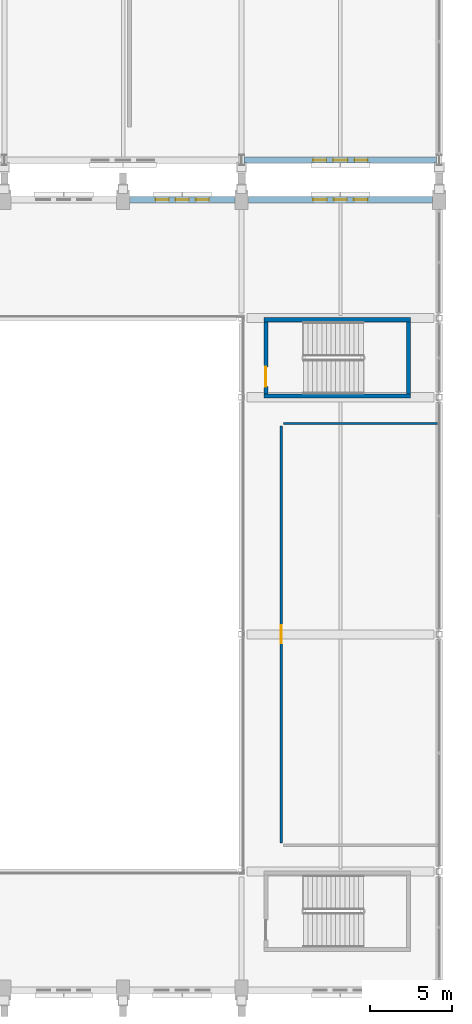
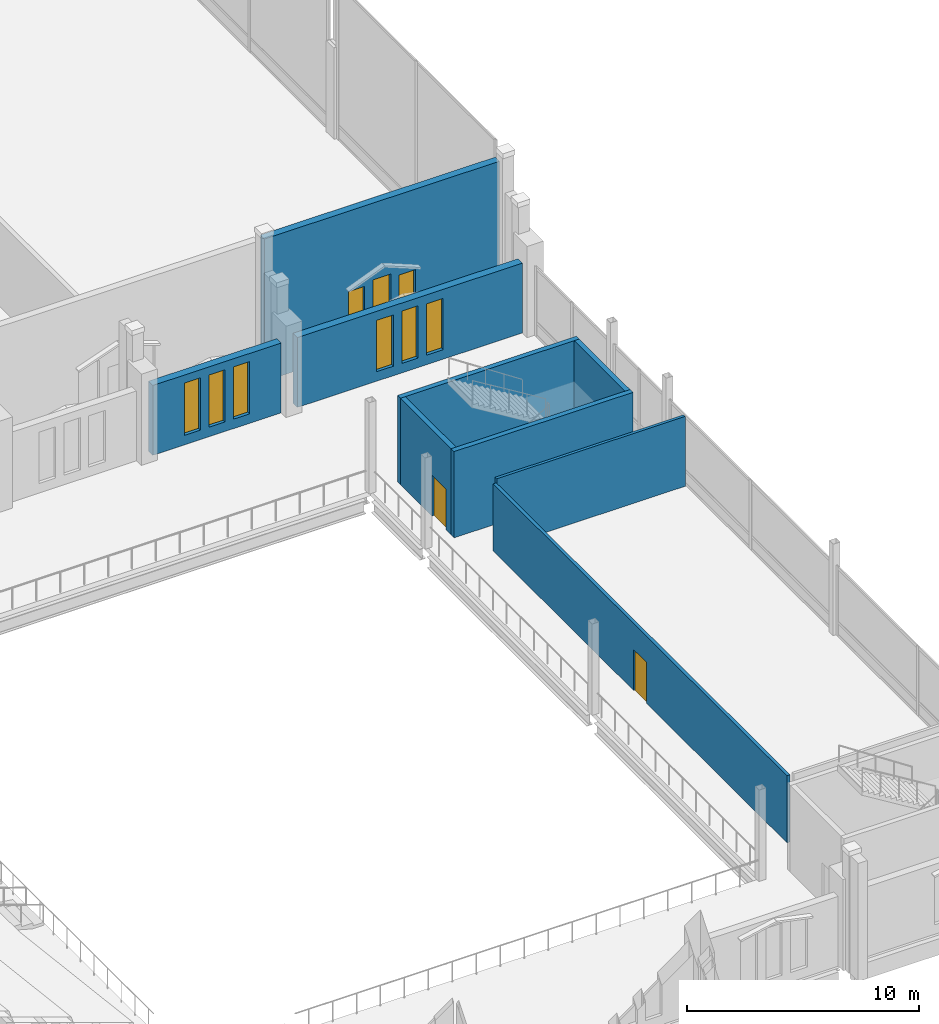
# One storey, part 150 of 193: 9 walls, 9 windows, 2 doors, 11 openings.
"""IFC4 building model written with IfcOpenShell, lengths in metres."""

from ifc_helpers import new_model, si_unit, direction, frame, frame_2d, origin, place, context, subcontext, project, spatial, rectangle, extrude, material, layer, layer_set, type_object, element, fill, save


model = new_model("IFC4")

# Units and contexts
model_context = context("Model", 3, precision=1e-05, world=origin(), true_north=direction((0.0, 1.0)))
body_context = subcontext(model_context, "Body", "Model", "MODEL_VIEW")
ifc_project = project(units=[si_unit("LENGTHUNIT", "METRE"), si_unit("AREAUNIT", "SQUARE_METRE"), si_unit("VOLUMEUNIT", "CUBIC_METRE"), si_unit("PLANEANGLEUNIT", "RADIAN"), si_unit("MASSUNIT", "GRAM", prefix="KILO")], contexts=[model_context])

# Site, building, storey
site_placement = place(None, origin())
site = spatial("IfcSite", under=ifc_project, at=site_placement, CompositionType="ELEMENT")
building_placement = place(site_placement, origin())
building = spatial("IfcBuilding", under=site, at=building_placement, Name="Cendralis Lancet Convention Centre", CompositionType="ELEMENT")
storey_placement = place(building_placement, frame((0.0, 0.0, 10.199951171875)))
storey = spatial("IfcBuildingStorey", under=building, at=storey_placement, Name="L02", CompositionType="ELEMENT", Elevation=10.199951171875)

# Wall, openings, windows
ifc_material_1 = material(Name="Buff sandstone ashlar and Concrete G40 (C40/50)", Category="masonry")
ifc_layer_1 = layer(ifc_material_1, 0.360107421875, Name="Buff sandstone ashlar and Concrete G40 (C40/50)")
ifc_layer_set_1 = layer_set([ifc_layer_1], Name="Buff sandstone ashlar and Concrete G40 (C40/50)")
wall_type_1 = type_object("IfcWallType", Name="ARC-EW-W360", PredefinedType="STANDARD", material=ifc_layer_set_1)
wall_1_placement = place(storey_placement, frame((208.64208984375, 93.60009765625, 0.0), z_axis=(0.0, 0.0, 1.0), x_axis=(-1.0, 0.0, 0.0)))
wall_1 = element("IfcWall", 1, at=wall_1_placement, inside=storey, type_object=wall_type_1, Name="L02 V3 Exterior Wall EW-04 #0168", PredefinedType="STANDARD", context=body_context, shape_type="SweptSolid", body=[
    extrude(rectangle(XDim=11.68408203125, YDim=0.360107421875, at=frame_2d((5.842041015625, 0.0))), origin(), (0.0, 0.0, 1.0), 7.485107421875),
])
opening_1_placement = place(wall_1_placement, frame((4.181884765625, 0.0, 0.5)))
opening_1 = element("IfcOpeningElement", 2, at=opening_1_placement, cuts=wall_1, Name="Opening WN-07", PredefinedType="OPENING", context=body_context, shape_type="SweptSolid", body=[
    extrude(rectangle(XDim=0.800048828125, YDim=2.75, at=frame_2d((0.39990234375, 1.375))), frame((0.0, 0.18994140625, 0.0), z_axis=(0.0, -1.0, 0.0), x_axis=(1.0, 0.0, 0.0)), (0.0, 0.0, 1.0), 0.380126953125),
])
opening_2_placement = place(wall_1_placement, frame((5.402099609375, 0.0, 0.5)))
opening_2 = element("IfcOpeningElement", 3, at=opening_2_placement, cuts=wall_1, Name="Opening WN-08", PredefinedType="OPENING", context=body_context, shape_type="SweptSolid", body=[
    extrude(rectangle(XDim=0.8798828125, YDim=2.949951171875, at=frame_2d((0.43994140625, 1.47509765625))), frame((0.0, 0.18994140625, 0.0), z_axis=(0.0, -1.0, 0.0), x_axis=(1.0, 0.0, 0.0)), (0.0, 0.0, 1.0), 0.380126953125),
])
opening_3_placement = place(wall_1_placement, frame((6.701904296875, 0.0, 0.5)))
opening_3 = element("IfcOpeningElement", 4, at=opening_3_placement, cuts=wall_1, Name="Opening WN-07", PredefinedType="OPENING", context=body_context, shape_type="SweptSolid", body=[
    extrude(rectangle(XDim=0.800048828125, YDim=2.75, at=frame_2d((0.39990234375, 1.375))), frame((0.0, 0.18994140625, 0.0), z_axis=(0.0, -1.0, 0.0), x_axis=(1.0, 0.0, 0.0)), (0.0, 0.0, 1.0), 0.380126953125),
])
ifc_material_2 = material(Name="Double-glazed low-E solar-control glass", Category="glass")
window_type_1 = type_object("IfcWindowType", Name="ARC-WN-LW07", PartitioningType="SINGLE_PANEL", PredefinedType="WINDOW", material=ifc_material_2)
window_1_placement = place(opening_1_placement, origin())
window_1 = element("IfcWindow", 5, at=window_1_placement, inside=storey, type_object=window_type_1, Name="Gothic Lancet Window WN-07 #0338", OverallHeight=2.75, OverallWidth=0.800048828125, PartitioningType="SINGLE_PANEL", PredefinedType="WINDOW", context=body_context, shape_type="SweptSolid", body=[
    extrude(rectangle(XDim=0.800048828125, YDim=2.75, at=frame_2d((0.39990234375, 1.375))), frame((0.0, 0.030029296875, 0.0), z_axis=(0.0, -1.0, 0.0), x_axis=(1.0, 0.0, 0.0)), (0.0, 0.0, 1.0), 0.06005859375),
])
fill(opening_1, window_1)
window_2_placement = place(opening_3_placement, origin())
window_2 = element("IfcWindow", 6, at=window_2_placement, inside=storey, type_object=window_type_1, Name="Gothic Lancet Window WN-07 #0340", OverallHeight=2.75, OverallWidth=0.800048828125, PartitioningType="SINGLE_PANEL", PredefinedType="WINDOW", context=body_context, shape_type="SweptSolid", body=[
    extrude(rectangle(XDim=0.800048828125, YDim=2.75, at=frame_2d((0.39990234375, 1.375))), frame((0.0, 0.030029296875, 0.0), z_axis=(0.0, -1.0, 0.0), x_axis=(1.0, 0.0, 0.0)), (0.0, 0.0, 1.0), 0.06005859375),
])
fill(opening_3, window_2)
window_type_2 = type_object("IfcWindowType", Name="ARC-WN-LW08", PartitioningType="SINGLE_PANEL", PredefinedType="WINDOW", material=ifc_material_2)
window_3_placement = place(opening_2_placement, origin())
window_3 = element("IfcWindow", 7, at=window_3_placement, inside=storey, type_object=window_type_2, Name="Gothic Lancet Window WN-08 #0339", OverallHeight=2.949951171875, OverallWidth=0.8798828125, PartitioningType="SINGLE_PANEL", PredefinedType="WINDOW", context=body_context, shape_type="SweptSolid", body=[
    extrude(rectangle(XDim=0.8798828125, YDim=2.949951171875, at=frame_2d((0.43994140625, 1.47509765625))), frame((0.0, 0.030029296875, 0.0), z_axis=(0.0, -1.0, 0.0), x_axis=(1.0, 0.0, 0.0)), (0.0, 0.0, 1.0), 0.06005859375),
])
fill(opening_2, window_3)

ifc_layer_2 = layer(ifc_material_1, 0.3798828125, Name="Buff sandstone ashlar and Concrete G40 (C40/50)")
ifc_layer_set_2 = layer_set([ifc_layer_2], Name="Buff sandstone ashlar and Concrete G40 (C40/50)")
wall_type_2 = type_object("IfcWallType", Name="ARC-EW-W380", PredefinedType="STANDARD", material=ifc_layer_set_2)
wall_2_placement = place(storey_placement, frame((190.008056640625, 91.199951171875, 0.0), z_axis=(0.0, 0.0, 1.0), x_axis=(1.0, 0.0, 0.0)))
wall_2 = element("IfcWall", 8, at=wall_2_placement, inside=storey, type_object=wall_type_2, Name="L02 V2 Exterior Wall EW-03 #0125", PredefinedType="STANDARD", context=body_context, shape_type="SweptSolid", body=[
    extrude(rectangle(XDim=6.384033203125, YDim=0.3798828125, at=frame_2d((3.19189453125, 0.0))), origin(), (0.0, 0.0, 1.0), 3.675048828125),
])
opening_4_placement = place(wall_2_placement, frame((1.572021484375, 0.0, 0.5)))
opening_4 = element("IfcOpeningElement", 9, at=opening_4_placement, cuts=wall_2, Name="Opening WN-07", PredefinedType="OPENING", context=body_context, shape_type="SweptSolid", body=[
    extrude(rectangle(XDim=0.800048828125, YDim=2.75, at=frame_2d((0.39990234375, 1.375))), frame((0.0, 0.199951171875, 0.0), z_axis=(0.0, -1.0, 0.0), x_axis=(1.0, 0.0, 0.0)), (0.0, 0.0, 1.0), 0.39990234375),
])
opening_5_placement = place(wall_2_placement, frame((2.7919921875, 0.0, 0.5)))
opening_5 = element("IfcOpeningElement", 10, at=opening_5_placement, cuts=wall_2, Name="Opening WN-07", PredefinedType="OPENING", context=body_context, shape_type="SweptSolid", body=[
    extrude(rectangle(XDim=0.800048828125, YDim=2.75, at=frame_2d((0.39990234375, 1.375))), frame((0.0, 0.199951171875, 0.0), z_axis=(0.0, -1.0, 0.0), x_axis=(1.0, 0.0, 0.0)), (0.0, 0.0, 1.0), 0.39990234375),
])
opening_6_placement = place(wall_2_placement, frame((4.011962890625, 0.0, 0.5)))
opening_6 = element("IfcOpeningElement", 11, at=opening_6_placement, cuts=wall_2, Name="Opening WN-07", PredefinedType="OPENING", context=body_context, shape_type="SweptSolid", body=[
    extrude(rectangle(XDim=0.800048828125, YDim=2.75, at=frame_2d((0.39990234375, 1.375))), frame((0.0, 0.199951171875, 0.0), z_axis=(0.0, -1.0, 0.0), x_axis=(1.0, 0.0, 0.0)), (0.0, 0.0, 1.0), 0.39990234375),
])
window_4_placement = place(opening_4_placement, origin())
window_4 = element("IfcWindow", 12, at=window_4_placement, inside=storey, type_object=window_type_1, Name="Gothic Lancet Window WN-07 #0243", OverallHeight=2.75, OverallWidth=0.800048828125, PartitioningType="SINGLE_PANEL", PredefinedType="WINDOW", context=body_context, shape_type="SweptSolid", body=[
    extrude(rectangle(XDim=0.800048828125, YDim=2.75, at=frame_2d((0.39990234375, 1.375))), frame((0.0, 0.030029296875, 0.0), z_axis=(0.0, -1.0, 0.0), x_axis=(1.0, 0.0, 0.0)), (0.0, 0.0, 1.0), 0.06005859375),
])
fill(opening_4, window_4)
window_5_placement = place(opening_5_placement, origin())
window_5 = element("IfcWindow", 13, at=window_5_placement, inside=storey, type_object=window_type_1, Name="Gothic Lancet Window WN-07 #0244", OverallHeight=2.75, OverallWidth=0.800048828125, PartitioningType="SINGLE_PANEL", PredefinedType="WINDOW", context=body_context, shape_type="SweptSolid", body=[
    extrude(rectangle(XDim=0.800048828125, YDim=2.75, at=frame_2d((0.39990234375, 1.375))), frame((0.0, 0.030029296875, 0.0), z_axis=(0.0, -1.0, 0.0), x_axis=(1.0, 0.0, 0.0)), (0.0, 0.0, 1.0), 0.06005859375),
])
fill(opening_5, window_5)
window_6_placement = place(opening_6_placement, origin())
window_6 = element("IfcWindow", 14, at=window_6_placement, inside=storey, type_object=window_type_1, Name="Gothic Lancet Window WN-07 #0245", OverallHeight=2.75, OverallWidth=0.800048828125, PartitioningType="SINGLE_PANEL", PredefinedType="WINDOW", context=body_context, shape_type="SweptSolid", body=[
    extrude(rectangle(XDim=0.800048828125, YDim=2.75, at=frame_2d((0.39990234375, 1.375))), frame((0.0, 0.030029296875, 0.0), z_axis=(0.0, -1.0, 0.0), x_axis=(1.0, 0.0, 0.0)), (0.0, 0.0, 1.0), 0.06005859375),
])
fill(opening_6, window_6)

wall_3_placement = place(storey_placement, frame((197.2080078125, 91.199951171875, 0.0), z_axis=(0.0, 0.0, 1.0), x_axis=(1.0, 0.0, 0.0)))
wall_3 = element("IfcWall", 15, at=wall_3_placement, inside=storey, type_object=wall_type_2, Name="L02 V2 Exterior Wall EW-03 #0126", PredefinedType="STANDARD", context=body_context, shape_type="SweptSolid", body=[
    extrude(rectangle(XDim=11.18408203125, YDim=0.3798828125, at=frame_2d((5.592041015625, 0.0))), origin(), (0.0, 0.0, 1.0), 3.675048828125),
])
opening_7_placement = place(wall_3_placement, frame((3.931884765625, 0.0, 0.5)))
opening_7 = element("IfcOpeningElement", 16, at=opening_7_placement, cuts=wall_3, Name="Opening WN-15", PredefinedType="OPENING", context=body_context, shape_type="SweptSolid", body=[
    extrude(rectangle(XDim=0.840087890625, YDim=2.699951171875, at=frame_2d((0.419921875, 1.35009765625))), frame((0.0, 0.199951171875, 0.0), z_axis=(0.0, -1.0, 0.0), x_axis=(1.0, 0.0, 0.0)), (0.0, 0.0, 1.0), 0.39990234375),
])
opening_8_placement = place(wall_3_placement, frame((5.19189453125, 0.0, 0.5)))
opening_8 = element("IfcOpeningElement", 17, at=opening_8_placement, cuts=wall_3, Name="Opening WN-07", PredefinedType="OPENING", context=body_context, shape_type="SweptSolid", body=[
    extrude(rectangle(XDim=0.800048828125, YDim=2.75, at=frame_2d((0.39990234375, 1.375))), frame((0.0, 0.199951171875, 0.0), z_axis=(0.0, -1.0, 0.0), x_axis=(1.0, 0.0, 0.0)), (0.0, 0.0, 1.0), 0.39990234375),
])
opening_9_placement = place(wall_3_placement, frame((6.412109375, 0.0, 0.5)))
opening_9 = element("IfcOpeningElement", 18, at=opening_9_placement, cuts=wall_3, Name="Opening WN-15", PredefinedType="OPENING", context=body_context, shape_type="SweptSolid", body=[
    extrude(rectangle(XDim=0.840087890625, YDim=2.699951171875, at=frame_2d((0.419921875, 1.35009765625))), frame((0.0, 0.199951171875, 0.0), z_axis=(0.0, -1.0, 0.0), x_axis=(1.0, 0.0, 0.0)), (0.0, 0.0, 1.0), 0.39990234375),
])
window_7_placement = place(opening_8_placement, origin())
window_7 = element("IfcWindow", 19, at=window_7_placement, inside=storey, type_object=window_type_1, Name="Gothic Lancet Window WN-07 #0247", OverallHeight=2.75, OverallWidth=0.800048828125, PartitioningType="SINGLE_PANEL", PredefinedType="WINDOW", context=body_context, shape_type="SweptSolid", body=[
    extrude(rectangle(XDim=0.800048828125, YDim=2.75, at=frame_2d((0.39990234375, 1.375))), frame((0.0, 0.030029296875, 0.0), z_axis=(0.0, -1.0, 0.0), x_axis=(1.0, 0.0, 0.0)), (0.0, 0.0, 1.0), 0.06005859375),
])
fill(opening_8, window_7)
window_type_3 = type_object("IfcWindowType", Name="ARC-WN-LW15", PartitioningType="SINGLE_PANEL", PredefinedType="WINDOW", material=ifc_material_2)
window_8_placement = place(opening_7_placement, origin())
window_8 = element("IfcWindow", 20, at=window_8_placement, inside=storey, type_object=window_type_3, Name="Gothic Lancet Window WN-15 #0246", OverallHeight=2.699951171875, OverallWidth=0.840087890625, PartitioningType="SINGLE_PANEL", PredefinedType="WINDOW", context=body_context, shape_type="SweptSolid", body=[
    extrude(rectangle(XDim=0.840087890625, YDim=2.699951171875, at=frame_2d((0.419921875, 1.35009765625))), frame((0.0, 0.030029296875, 0.0), z_axis=(0.0, -1.0, 0.0), x_axis=(1.0, 0.0, 0.0)), (0.0, 0.0, 1.0), 0.06005859375),
])
fill(opening_7, window_8)
window_9_placement = place(opening_9_placement, origin())
window_9 = element("IfcWindow", 21, at=window_9_placement, inside=storey, type_object=window_type_3, Name="Gothic Lancet Window WN-15 #0248", OverallHeight=2.699951171875, OverallWidth=0.840087890625, PartitioningType="SINGLE_PANEL", PredefinedType="WINDOW", context=body_context, shape_type="SweptSolid", body=[
    extrude(rectangle(XDim=0.840087890625, YDim=2.699951171875, at=frame_2d((0.419921875, 1.35009765625))), frame((0.0, 0.030029296875, 0.0), z_axis=(0.0, -1.0, 0.0), x_axis=(1.0, 0.0, 0.0)), (0.0, 0.0, 1.0), 0.06005859375),
])
fill(opening_9, window_9)

# Wall
ifc_material_3 = material(Name="Acoustic fire-rated gypsum board on steel studs", Category="steel")
ifc_layer_3 = layer(ifc_material_3, 0.139892578125, Name="Acoustic fire-rated gypsum board on steel studs")
ifc_layer_set_3 = layer_set([ifc_layer_3], Name="Acoustic fire-rated gypsum board on steel studs")
wall_type_3 = type_object("IfcWallType", Name="ARC-IW-P140", PredefinedType="PARTITIONING", material=ifc_layer_set_3)
wall_4_placement = place(storey_placement, frame((199.340087890625, 77.60009765625, 0.0), z_axis=(0.0, 0.0, 1.0), x_axis=(1.0, 0.0, 0.0)))
element("IfcWall", 22, at=wall_4_placement, inside=storey, type_object=wall_type_3, Name="L02 Interior Partition IW-04 #0107", PredefinedType="PARTITIONING", context=body_context, shape_type="SweptSolid", body=[
    extrude(rectangle(XDim=9.3798828125, YDim=0.139892578125, at=frame_2d((4.68994140625, 0.0))), origin(), (0.0, 0.0, 1.0), 3.675048828125),
])

# Wall, opening, door
ifc_layer_4 = layer(ifc_material_3, 0.159912109375, Name="Acoustic fire-rated gypsum board on steel studs")
ifc_layer_set_4 = layer_set([ifc_layer_4], Name="Acoustic fire-rated gypsum board on steel studs")
wall_type_4 = type_object("IfcWallType", Name="ARC-IW-P160", PredefinedType="PARTITIONING", material=ifc_layer_set_4)
wall_5_placement = place(storey_placement, frame((199.199951171875, 52.139892578125, 0.0), z_axis=(0.0, 0.0, 1.0), x_axis=(0.0, 1.0, 0.0)))
wall_5 = element("IfcWall", 23, at=wall_5_placement, inside=storey, type_object=wall_type_4, Name="L02 Interior Partition IW-03 #0108", PredefinedType="PARTITIONING", context=body_context, shape_type="SweptSolid", body=[
    extrude(rectangle(XDim=25.320068359375, YDim=0.159912109375, at=frame_2d((12.66015625, 0.0))), origin(), (0.0, 0.0, 1.0), 3.525146484375),
])
opening_10_placement = place(wall_5_placement, frame((12.110107421875, 0.0, 0.0)))
opening_10 = element("IfcOpeningElement", 24, at=opening_10_placement, cuts=wall_5, Name="Opening FD-11", PredefinedType="OPENING", context=body_context, shape_type="SweptSolid", body=[
    extrude(rectangle(XDim=1.10009765625, YDim=2.14990234375, at=frame_2d((0.550048828125, 1.074951171875))), frame((0.0, 0.08984375, 0.0), z_axis=(0.0, -1.0, 0.0), x_axis=(1.0, 0.0, 0.0)), (0.0, 0.0, 1.0), 0.179931640625),
])
ifc_material_4 = material(Name="Steel S355", Category="steel")
door_type_1 = type_object("IfcDoorType", Name="ARC-DR-FF11", OperationType="NOTDEFINED", PredefinedType="DOOR", material=ifc_material_4)
door_1_placement = place(opening_10_placement, frame((1.10009765625, 0.0, 0.0), z_axis=(0.0, 0.0, 1.0), x_axis=(-1.0, 0.0, 0.0)))
door_1 = element("IfcDoor", 25, at=door_1_placement, inside=storey, type_object=door_type_1, Name="L02-D003 L02 Interior Door FD-11 #0035", OperationType="SINGLE_SWING_LEFT", OverallHeight=2.14990234375, OverallWidth=1.10009765625, PredefinedType="DOOR", context=body_context, shape_type="SweptSolid", body=[
    extrude(rectangle(XDim=1.10009765625, YDim=2.14990234375, at=frame_2d((0.550048828125, 1.074951171875))), frame((0.0, 0.02490234375, 0.0), z_axis=(0.0, -1.0, 0.0), x_axis=(1.0, 0.0, 0.0)), (0.0, 0.0, 1.0), 0.050048828125),
])
fill(opening_10, door_1)

ifc_material_5 = material(Name="Concrete G40 (C40/50)", Category="concrete")
ifc_layer_5 = layer(ifc_material_5, 0.25, Name="Concrete G40 (C40/50)")
ifc_layer_set_5 = layer_set([ifc_layer_5], Name="Concrete G40 (C40/50)")
wall_type_5 = type_object("IfcWallType", Name="STR-SW-CW250", PredefinedType="SHEAR", material=ifc_layer_set_5)
wall_6_placement = place(storey_placement, frame((198.27490234375, 79.39990234375, 0.0), z_axis=(0.0, 0.0, 1.0), x_axis=(0.0, 1.0, 0.0)))
wall_6 = element("IfcWall", 26, at=wall_6_placement, inside=storey, type_object=wall_type_5, Name="L02 Stair Core ST-10 West Shear Wall", PredefinedType="SHEAR", context=body_context, shape_type="SweptSolid", body=[
    extrude(rectangle(XDim=4.380126953125, YDim=0.25, at=frame_2d((2.18994140625, 0.0))), origin(), (0.0, 0.0, 1.0), 4.5400390625),
])
opening_11_placement = place(wall_6_placement, frame((0.449951171875, 0.0, 0.0)))
opening_11 = element("IfcOpeningElement", 27, at=opening_11_placement, cuts=wall_6, Name="Opening SD-12", PredefinedType="OPENING", context=body_context, shape_type="SweptSolid", body=[
    extrude(rectangle(XDim=1.199951171875, YDim=2.14990234375, at=frame_2d((0.60009765625, 1.074951171875))), frame((0.0, 0.135009765625, 0.0), z_axis=(0.0, -1.0, 0.0), x_axis=(1.0, 0.0, 0.0)), (0.0, 0.0, 1.0), 0.27001953125),
])
door_type_2 = type_object("IfcDoorType", Name="ARC-DR-ST12", OperationType="NOTDEFINED", PredefinedType="DOOR", material=ifc_material_4)
door_2_placement = place(opening_11_placement, frame((1.199951171875, 0.0, 0.0), z_axis=(0.0, 0.0, 1.0), x_axis=(-1.0, 0.0, 0.0)))
door_2 = element("IfcDoor", 28, at=door_2_placement, inside=storey, type_object=door_type_2, Name="L02-D057 L02 Exit Stair ST-10 Fire Door", OperationType="SINGLE_SWING_LEFT", OverallHeight=2.14990234375, OverallWidth=1.199951171875, PredefinedType="DOOR", context=body_context, shape_type="SweptSolid", body=[
    extrude(rectangle(XDim=1.199951171875, YDim=2.14990234375, at=frame_2d((0.60009765625, 1.074951171875))), frame((0.0, 0.02490234375, 0.0), z_axis=(0.0, -1.0, 0.0), x_axis=(1.0, 0.0, 0.0)), (0.0, 0.0, 1.0), 0.050048828125),
])
fill(opening_11, door_2)

# Walls
wall_7_placement = place(storey_placement, frame((206.925048828125, 79.39990234375, 0.0), z_axis=(0.0, 0.0, 1.0), x_axis=(0.0, 1.0, 0.0)))
element("IfcWall", 29, at=wall_7_placement, inside=storey, type_object=wall_type_5, Name="L02 Stair Core ST-10 East Shear Wall", PredefinedType="SHEAR", context=body_context, shape_type="SweptSolid", body=[
    extrude(rectangle(XDim=4.380126953125, YDim=0.25, at=frame_2d((2.18994140625, 0.0))), origin(), (0.0, 0.0, 1.0), 4.5400390625),
])
for number, where, z_axis, x_axis, name in (
    (30, (198.14990234375, 79.27490234375, 0.0), (0.0, 0.0, 1.0), (1.0, 0.0, 0.0), "L02 Stair Core ST-10 South Shear Wall"),
    (31, (198.14990234375, 83.905029296875, 0.0), (0.0, 0.0, 1.0), (1.0, 0.0, 0.0), "L02 Stair Core ST-10 North Shear Wall"),
):
    element("IfcWall", number, at=place(storey_placement, frame(where, z_axis=z_axis, x_axis=x_axis)), inside=storey, type_object=wall_type_5, Name=name, PredefinedType="SHEAR", context=body_context, shape_type="SweptSolid", body=[
        extrude(rectangle(XDim=8.900146484375, YDim=0.25, at=frame_2d((4.4501953125, 0.0))), origin(), (0.0, 0.0, 1.0), 4.5400390625),
    ])

save(model, "model.ifc")
